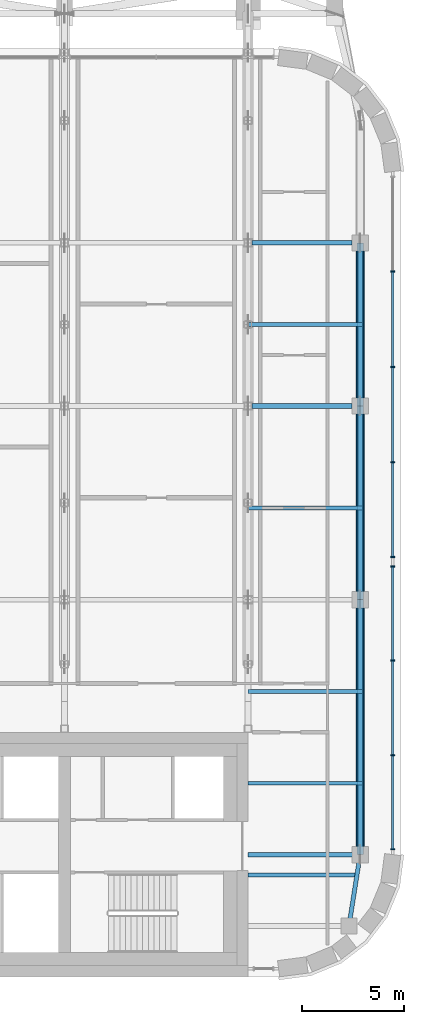
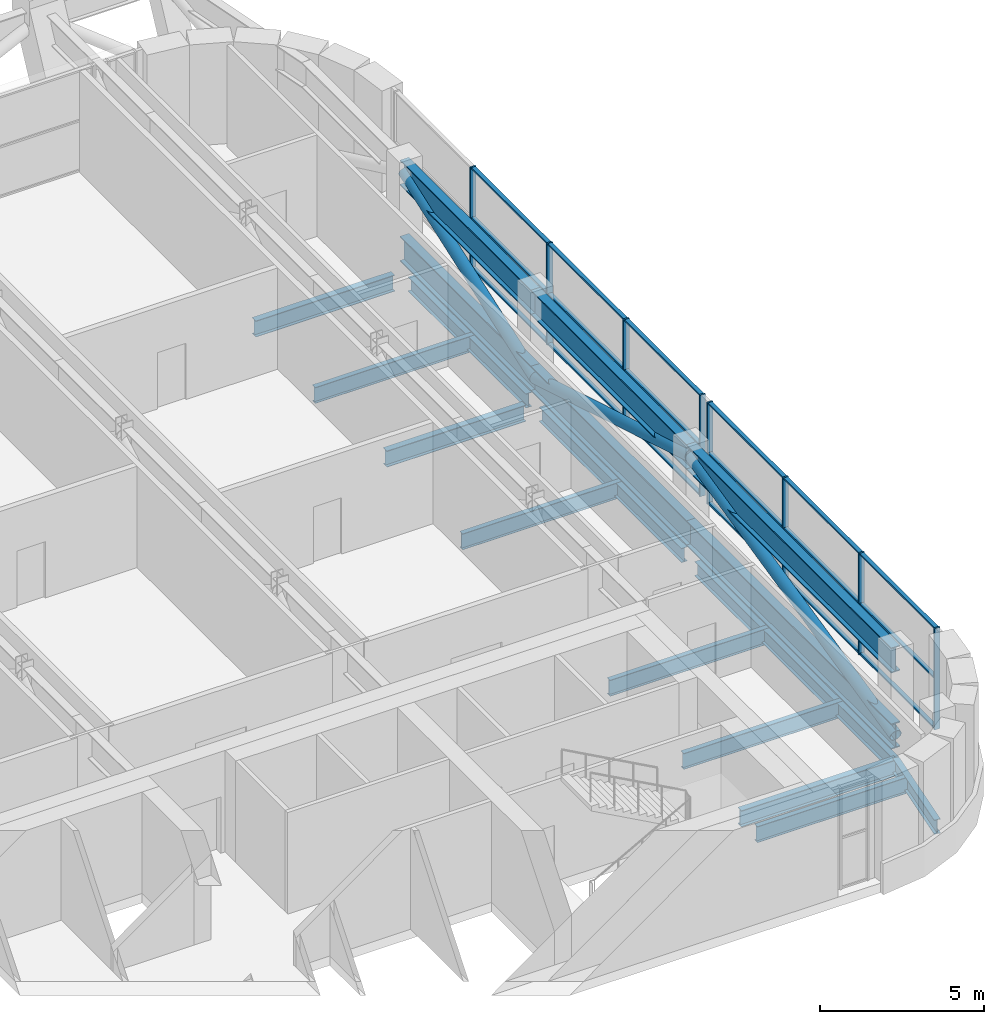
# One storey, part 13 of 28: 35 members, 12 beams, 2 elements without a shape of their own.
"""IFC4 building model written with IfcOpenShell, lengths in metres."""

import ifcopenshell
import ifcopenshell.guid

model = None  # the IFC model being written
_history = None  # IfcOwnerHistory: only IFC2X3 demands one
_inside = {}  # id of a spatial element -> (the spatial element, [elements in it])
_under = {}  # id of a project, library or spatial element -> (it, [spatial elements below it])
_declared = {}  # id of a project -> (the project, [libraries it declares])
_typed = {}  # id of a type object -> (the type object, [elements of that type])
_made_of = {}  # id of a material, layer set ... -> (it, [elements and type objects made of it])


def new_model(schema):
    """Start an empty IFC model of exactly this schema.

    Asked for "IFC4X3", IfcOpenShell would pick the latest addendum, in which some entities
    have other attributes; the version numbers below select the first issue.
    IFC2X3 requires an IfcOwnerHistory on every rooted entity: one is made here for all.
    """
    global model, _history
    if schema == "IFC4X3":
        model = ifcopenshell.file(schema_version=(4, 3, 0, 0))
    else:
        model = ifcopenshell.file(schema=schema)
    _inside.clear()
    _under.clear()
    _declared.clear()
    _typed.clear()
    _made_of.clear()
    _history = None
    if model.schema == "IFC2X3":
        org = make("IfcOrganization", Name="unknown")
        user = make(
            "IfcPersonAndOrganization",
            ThePerson=make("IfcPerson", FamilyName="unknown"),
            TheOrganization=org,
        )
        app = make(
            "IfcApplication",
            ApplicationDeveloper=org,
            Version="unknown",
            ApplicationFullName="unknown",
            ApplicationIdentifier="unknown",
        )
        _history = make(
            "IfcOwnerHistory",
            OwningUser=user,
            OwningApplication=app,
            ChangeAction="ADDED",
            CreationDate=0,
        )
    return model


def make(cls, **values):
    """One entity of the class cls with the attributes given. An attribute that is None is left unset."""
    return model.create_entity(
        cls, **{name: value for name, value in values.items() if value is not None}
    )


def rooted(cls, **values):
    """An entity with a GlobalId (a new one), such as an element, a storey or a relation."""
    return make(cls, GlobalId=ifcopenshell.guid.new(), OwnerHistory=_history, **values)


def si_unit(unit_type, name, prefix=None):
    """IfcSIUnit, for example si_unit("LENGTHUNIT", "METRE", prefix="MILLI")."""
    return make("IfcSIUnit", UnitType=unit_type, Prefix=prefix, Name=name)


def assignment(units):
    """IfcUnitAssignment: the units of a project."""
    return None if units is None else make("IfcUnitAssignment", Units=units)


def point(xyz):
    """IfcCartesianPoint."""
    return None if xyz is None else make("IfcCartesianPoint", Coordinates=xyz)


def direction(xyz):
    """IfcDirection."""
    return None if xyz is None else make("IfcDirection", DirectionRatios=xyz)


def frame(location, z_axis=None, x_axis=None):
    """IfcAxis2Placement3D, a coordinate frame: its origin and axes. An axis left out is left unset."""
    return make(
        "IfcAxis2Placement3D",
        Location=point(location),
        Axis=direction(z_axis),
        RefDirection=direction(x_axis),
    )


def frame_2d(location, x_axis=None):
    """IfcAxis2Placement2D, a coordinate frame in the plane: its origin and x axis."""
    return make(
        "IfcAxis2Placement2D", Location=point(location), RefDirection=direction(x_axis)
    )


def origin():
    """The frame at (0, 0, 0) with its axes left unset."""
    return frame((0.0, 0.0, 0.0))


def origin_2d():
    """The frame at (0, 0) in the plane with its x axis left unset."""
    return frame_2d((0.0, 0.0))


def place(relative_to, where):
    """IfcLocalPlacement: puts the frame where relative to a parent placement (None: the world)."""
    return make(
        "IfcLocalPlacement", PlacementRelTo=relative_to, RelativePlacement=where
    )


def context(
    kind, dimensions, precision=None, world=None, true_north=None, identifier=None
):
    """IfcGeometricRepresentationContext, for example the 3D "Model" context."""
    return make(
        "IfcGeometricRepresentationContext",
        ContextIdentifier=identifier,
        ContextType=kind,
        CoordinateSpaceDimension=dimensions,
        Precision=precision,
        WorldCoordinateSystem=world,
        TrueNorth=true_north,
    )


def subcontext(parent, identifier, kind, view, scale=None):
    """IfcGeometricRepresentationSubContext, for example "Body" below "Model"."""
    return make(
        "IfcGeometricRepresentationSubContext",
        ContextIdentifier=identifier,
        ContextType=kind,
        ParentContext=parent,
        TargetScale=scale,
        TargetView=view,
    )


def project(units=None, contexts=None):
    """IfcProject with its units and contexts."""
    return rooted(
        "IfcProject",
        Name="project",
        RepresentationContexts=contexts,
        UnitsInContext=assignment(units),
    )


def spatial(cls, under=None, at=None, **own):
    """A site, building, storey or space (cls), placed at a placement, below another one or the project."""
    s = rooted(cls, ObjectPlacement=at, **own)
    if under is not None:
        _under.setdefault(under.id(), (under, []))[1].append(s)
    return s


def profile(cls, at=None, kind="AREA", **sizes):
    """A parametric profile (cls). Its sizes go by their IFC names, for example OverallWidth=200.0."""
    return make(cls, ProfileType=kind, Position=at, **sizes)


def rectangle(**sizes):
    """IfcRectangleProfileDef."""
    return profile("IfcRectangleProfileDef", **sizes)


def hollow_circle(**sizes):
    """IfcCircleHollowProfileDef."""
    return profile("IfcCircleHollowProfileDef", **sizes)


def i_section(**sizes):
    """IfcIShapeProfileDef."""
    return profile("IfcIShapeProfileDef", **sizes)


def extrude(swept, where, along, depth):
    """IfcExtrudedAreaSolid: the profile swept, set in the frame where, extruded along a direction by depth."""
    return make(
        "IfcExtrudedAreaSolid",
        SweptArea=swept,
        Position=where,
        ExtrudedDirection=direction(along),
        Depth=depth,
    )


def shape(context_of_items, identifier, shape_type, items):
    """IfcShapeRepresentation: the items that make up one representation, for example the "Body"."""
    return make(
        "IfcShapeRepresentation",
        ContextOfItems=context_of_items,
        RepresentationIdentifier=identifier,
        RepresentationType=shape_type,
        Items=items,
    )


def material(Name=None, Category=None):
    """IfcMaterial."""
    return make("IfcMaterial", Name=Name, Category=Category)


def material_profile(
    of_material, cross_section, Name=None, Category=None, Priority=None
):
    """IfcMaterialProfile: a cross section and its material."""
    return make(
        "IfcMaterialProfile",
        Name=Name,
        Material=of_material,
        Profile=cross_section,
        Priority=Priority,
        Category=Category,
    )


def profile_set(profiles, Name=None, composite=None):
    """IfcMaterialProfileSet."""
    return make(
        "IfcMaterialProfileSet",
        Name=Name,
        MaterialProfiles=profiles,
        CompositeProfile=composite,
    )


def made_of(thing, what):
    """Note that an element or type object is made of a material, layer set ...; save() writes the relation."""
    if what is not None:
        _made_of.setdefault(what.id(), (what, []))[1].append(thing)
    return thing


def type_object(cls, material=None, **own):
    """A type object (cls), such as IfcWallType, which elements share."""
    return made_of(rooted(cls, **own), material)


def element(
    cls,
    number,
    at=None,
    inside=None,
    cuts=None,
    type_object=None,
    material=None,
    context=None,
    identifier="Body",
    shape_type=None,
    held_by="IfcProductDefinitionShape",
    body=None,
    shapes=None,
    **own,
):
    """One element of the class cls, such as IfcWall. Its Tag is "e" and its number.

    at: its placement. inside: the storey or other place that contains it. cuts: it is an
    opening in that element (IfcRelVoidsElement). A single representation is given by context,
    identifier, shape_type and body (its items); several are given by shapes. held_by: the class
    of the entity that holds the representations. save() writes the other relations.
    """
    e = rooted(cls, Tag="e%d" % number, ObjectPlacement=at, **own)
    if body is not None:
        shapes = [shape(context, identifier, shape_type, body)]
    if shapes is not None:
        e.Representation = make(held_by, Representations=shapes)
    if inside is not None:
        _inside.setdefault(inside.id(), (inside, []))[1].append(e)
    if cuts is not None:
        rooted(
            "IfcRelVoidsElement", RelatingBuildingElement=cuts, RelatedOpeningElement=e
        )
    if type_object is not None:
        _typed.setdefault(type_object.id(), (type_object, []))[1].append(e)
    return made_of(e, material)


def aggregate(whole, parts):
    """IfcRelAggregates: a whole, such as a stair, and the parts it consists of."""
    return rooted("IfcRelAggregates", RelatingObject=whole, RelatedObjects=parts)


def save(model, path):
    """Write the relations noted so far, then the file.

    IfcRelAggregates (storeys below a building ...), IfcRelContainedInSpatialStructure (elements
    in a storey), IfcRelDefinesByType, IfcRelAssociatesMaterial and IfcRelDeclares: one each for
    every whole, place, type object, material and project.
    """
    for whole, parts in _under.values():
        aggregate(whole, parts)
    for where, things in _inside.values():
        rooted(
            "IfcRelContainedInSpatialStructure",
            RelatedElements=things,
            RelatingStructure=where,
        )
    for kind, things in _typed.values():
        rooted("IfcRelDefinesByType", RelatedObjects=things, RelatingType=kind)
    for what, things in _made_of.values():
        rooted("IfcRelAssociatesMaterial", RelatedObjects=things, RelatingMaterial=what)
    for by, libraries in _declared.values():
        rooted("IfcRelDeclares", RelatingContext=by, RelatedDefinitions=libraries)
    model.write(path)


model = new_model("IFC4")

# Units and contexts
model_context = context("Model", 3, precision=1e-05, world=origin(), true_north=direction((0.0, 1.0)))
body_context = subcontext(model_context, "Body", "Model", "MODEL_VIEW")
ifc_project = project(units=[si_unit("LENGTHUNIT", "METRE"), si_unit("AREAUNIT", "SQUARE_METRE"), si_unit("VOLUMEUNIT", "CUBIC_METRE"), si_unit("PLANEANGLEUNIT", "RADIAN"), si_unit("MASSUNIT", "GRAM", prefix="KILO")], contexts=[model_context])

# Site, building, storey
site_placement = place(None, origin())
site = spatial("IfcSite", under=ifc_project, at=site_placement, CompositionType="ELEMENT")
building_placement = place(site_placement, origin())
building = spatial("IfcBuilding", under=site, at=building_placement, Name="Zellij Exchange Tower", CompositionType="ELEMENT")
storey_placement = place(building_placement, frame((0.0, 0.0, 268.5)))
storey = spatial("IfcBuildingStorey", under=building, at=storey_placement, Name="L63", CompositionType="ELEMENT", Elevation=268.5)

# Curtain wall, members
ifc_material_1 = material(Name="Aluminium frame, clear insulating glass", Category="aluminium")
curtain_wall_type = type_object("IfcCurtainWallType", Name="ENV-CW2 Outrigger-storey glazing", PredefinedType="NOTDEFINED", material=ifc_material_1)
curtain_wall_1_placement = place(storey_placement, origin())
curtain_wall_1 = element("IfcCurtainWall", 1, at=curtain_wall_1_placement, inside=storey, type_object=curtain_wall_type, Name="cw.L63.07a", PredefinedType="NOTDEFINED")
ifc_material_2 = material(Name="Aluminium", Category="aluminium")
ifc_material_profile_1 = material_profile(ifc_material_2, rectangle(XDim=0.06005859375, YDim=0.199951171875, at=origin_2d()), Name="AL 60x200")
ifc_profile_set_1 = profile_set([ifc_material_profile_1], Name="Aluminium")
member_type_1 = type_object("IfcMemberType", Name="ENV-CW2M Mullion 60x200", PredefinedType="MULLION", material=ifc_profile_set_1)
member_1_placement = place(storey_placement, frame((34.10009765625, -7.743896484375, 0.0), z_axis=(0.0, 0.0, 1.0), x_axis=(0.0, 1.0, 0.0)))
member_1 = element("IfcMember", 2, at=member_1_placement, type_object=member_type_1, Name="CW2 mullion 1", PredefinedType="MULLION", context=body_context, shape_type="SweptSolid", body=[
    extrude(rectangle(XDim=0.06005859375, YDim=0.199951171875, at=origin_2d()), origin(), (0.0, 0.0, 1.0), 3.780029296875),
])
member_2_placement = place(storey_placement, frame((34.10009765625, -3.12890625, 0.0), z_axis=(0.0, 0.0, 1.0), x_axis=(0.0, 1.0, 0.0)))
member_2 = element("IfcMember", 3, at=member_2_placement, type_object=member_type_1, Name="CW2 mullion 2", PredefinedType="MULLION", context=body_context, shape_type="SweptSolid", body=[
    extrude(rectangle(XDim=0.06005859375, YDim=0.199951171875, at=origin_2d()), origin(), (0.0, 0.0, 1.0), 3.780029296875),
])
member_3_placement = place(storey_placement, frame((34.10009765625, 1.51611328125, 0.0), z_axis=(0.0, 0.0, 1.0), x_axis=(0.0, 1.0, 0.0)))
member_3 = element("IfcMember", 4, at=member_3_placement, type_object=member_type_1, Name="CW2 mullion 3", PredefinedType="MULLION", context=body_context, shape_type="SweptSolid", body=[
    extrude(rectangle(XDim=0.06005859375, YDim=0.199951171875, at=origin_2d()), origin(), (0.0, 0.0, 1.0), 3.780029296875),
])
member_4_placement = place(storey_placement, frame((34.10009765625, 6.130859375, 0.0), z_axis=(0.0, 0.0, 1.0), x_axis=(0.0, 1.0, 0.0)))
member_4 = element("IfcMember", 5, at=member_4_placement, type_object=member_type_1, Name="CW2 mullion 4", PredefinedType="MULLION", context=body_context, shape_type="SweptSolid", body=[
    extrude(rectangle(XDim=0.06005859375, YDim=0.199951171875, at=origin_2d()), origin(), (0.0, 0.0, 1.0), 3.780029296875),
])

curtain_wall_2_placement = place(storey_placement, origin())
curtain_wall_2 = element("IfcCurtainWall", 6, at=curtain_wall_2_placement, inside=storey, type_object=curtain_wall_type, Name="cw.L63.07b", PredefinedType="NOTDEFINED")
member_5_placement = place(storey_placement, frame((34.10009765625, 6.5908203125, 0.0), z_axis=(0.0, 0.0, 1.0), x_axis=(0.0, 1.0, 0.0)))
member_5 = element("IfcMember", 7, at=member_5_placement, type_object=member_type_1, Name="CW2 mullion 1", PredefinedType="MULLION", context=body_context, shape_type="SweptSolid", body=[
    extrude(rectangle(XDim=0.06005859375, YDim=0.199951171875, at=origin_2d()), origin(), (0.0, 0.0, 1.0), 3.780029296875),
])
member_6_placement = place(storey_placement, frame((34.10009765625, 11.239013671875, 0.0), z_axis=(0.0, 0.0, 1.0), x_axis=(0.0, 1.0, 0.0)))
member_6 = element("IfcMember", 8, at=member_6_placement, type_object=member_type_1, Name="CW2 mullion 2", PredefinedType="MULLION", context=body_context, shape_type="SweptSolid", body=[
    extrude(rectangle(XDim=0.06005859375, YDim=0.199951171875, at=origin_2d()), origin(), (0.0, 0.0, 1.0), 3.780029296875),
])
member_7_placement = place(storey_placement, frame((34.10009765625, 15.917236328125, 0.0), z_axis=(0.0, 0.0, 1.0), x_axis=(0.0, 1.0, 0.0)))
member_7 = element("IfcMember", 9, at=member_7_placement, type_object=member_type_1, Name="CW2 mullion 3", PredefinedType="MULLION", context=body_context, shape_type="SweptSolid", body=[
    extrude(rectangle(XDim=0.06005859375, YDim=0.199951171875, at=origin_2d()), origin(), (0.0, 0.0, 1.0), 3.780029296875),
])
member_8_placement = place(storey_placement, frame((34.10009765625, 20.595458984375, 0.0), z_axis=(0.0, 0.0, 1.0), x_axis=(0.0, 1.0, 0.0)))
member_8 = element("IfcMember", 10, at=member_8_placement, type_object=member_type_1, Name="CW2 mullion 4", PredefinedType="MULLION", context=body_context, shape_type="SweptSolid", body=[
    extrude(rectangle(XDim=0.06005859375, YDim=0.199951171875, at=origin_2d()), origin(), (0.0, 0.0, 1.0), 3.780029296875),
])

# Member
ifc_material_profile_2 = material_profile(ifc_material_2, rectangle(XDim=0.139892578125, YDim=0.06005859375, at=origin_2d()), Name="AL 140x60")
ifc_profile_set_2 = profile_set([ifc_material_profile_2], Name="Aluminium")
member_type_2 = type_object("IfcMemberType", Name="ENV-CW2T Transom 140x60", PredefinedType="USERDEFINED", material=ifc_profile_set_2)
member_9_placement = place(storey_placement, frame((34.10009765625, -7.7138671875, 0.030029296875), z_axis=(0.0, 1.0, 0.0), x_axis=(-1.0, 0.0, 0.0)))
member_9 = element("IfcMember", 11, at=member_9_placement, type_object=member_type_2, Name="CW2 transom 1.1", ObjectType="TRANSOM", PredefinedType="USERDEFINED", context=body_context, shape_type="SweptSolid", body=[
    extrude(rectangle(XDim=0.139892578125, YDim=0.06005859375, at=origin_2d()), origin(), (0.0, 0.0, 1.0), 4.554931640625),
])

member_10_placement = place(storey_placement, frame((34.10009765625, -7.7138671875, 1.889892578125), z_axis=(0.0, 1.0, 0.0), x_axis=(-1.0, 0.0, 0.0)))
member_10 = element("IfcMember", 12, at=member_10_placement, type_object=member_type_2, Name="CW2 transom 1.2", ObjectType="TRANSOM", PredefinedType="USERDEFINED", context=body_context, shape_type="SweptSolid", body=[
    extrude(rectangle(XDim=0.139892578125, YDim=0.06005859375, at=origin_2d()), origin(), (0.0, 0.0, 1.0), 4.554931640625),
])

member_11_placement = place(storey_placement, frame((34.10009765625, -7.7138671875, 3.75), z_axis=(0.0, 1.0, 0.0), x_axis=(-1.0, 0.0, 0.0)))
member_11 = element("IfcMember", 13, at=member_11_placement, type_object=member_type_2, Name="CW2 transom 1.3", ObjectType="TRANSOM", PredefinedType="USERDEFINED", context=body_context, shape_type="SweptSolid", body=[
    extrude(rectangle(XDim=0.139892578125, YDim=0.06005859375, at=origin_2d()), origin(), (0.0, 0.0, 1.0), 4.554931640625),
])

member_12_placement = place(storey_placement, frame((34.10009765625, -3.098876953125, 0.030029296875), z_axis=(0.0, 1.0, 0.0), x_axis=(-1.0, 0.0, 0.0)))
member_12 = element("IfcMember", 14, at=member_12_placement, type_object=member_type_2, Name="CW2 transom 2.1", ObjectType="TRANSOM", PredefinedType="USERDEFINED", context=body_context, shape_type="SweptSolid", body=[
    extrude(rectangle(XDim=0.139892578125, YDim=0.06005859375, at=origin_2d()), origin(), (0.0, 0.0, 1.0), 4.5849609375),
])

member_13_placement = place(storey_placement, frame((34.10009765625, -3.098876953125, 1.889892578125), z_axis=(0.0, 1.0, 0.0), x_axis=(-1.0, 0.0, 0.0)))
member_13 = element("IfcMember", 15, at=member_13_placement, type_object=member_type_2, Name="CW2 transom 2.2", ObjectType="TRANSOM", PredefinedType="USERDEFINED", context=body_context, shape_type="SweptSolid", body=[
    extrude(rectangle(XDim=0.139892578125, YDim=0.06005859375, at=origin_2d()), origin(), (0.0, 0.0, 1.0), 4.5849609375),
])

member_14_placement = place(storey_placement, frame((34.10009765625, -3.098876953125, 3.75), z_axis=(0.0, 1.0, 0.0), x_axis=(-1.0, 0.0, 0.0)))
member_14 = element("IfcMember", 16, at=member_14_placement, type_object=member_type_2, Name="CW2 transom 2.3", ObjectType="TRANSOM", PredefinedType="USERDEFINED", context=body_context, shape_type="SweptSolid", body=[
    extrude(rectangle(XDim=0.139892578125, YDim=0.06005859375, at=origin_2d()), origin(), (0.0, 0.0, 1.0), 4.5849609375),
])

member_15_placement = place(storey_placement, frame((34.10009765625, 1.5458984375, 0.030029296875), z_axis=(0.0, 1.0, 0.0), x_axis=(-1.0, 0.0, 0.0)))
member_15 = element("IfcMember", 17, at=member_15_placement, type_object=member_type_2, Name="CW2 transom 3.1", ObjectType="TRANSOM", PredefinedType="USERDEFINED", context=body_context, shape_type="SweptSolid", body=[
    extrude(rectangle(XDim=0.139892578125, YDim=0.06005859375, at=origin_2d()), origin(), (0.0, 0.0, 1.0), 4.554931640625),
])

member_16_placement = place(storey_placement, frame((34.10009765625, 1.5458984375, 1.889892578125), z_axis=(0.0, 1.0, 0.0), x_axis=(-1.0, 0.0, 0.0)))
member_16 = element("IfcMember", 18, at=member_16_placement, type_object=member_type_2, Name="CW2 transom 3.2", ObjectType="TRANSOM", PredefinedType="USERDEFINED", context=body_context, shape_type="SweptSolid", body=[
    extrude(rectangle(XDim=0.139892578125, YDim=0.06005859375, at=origin_2d()), origin(), (0.0, 0.0, 1.0), 4.554931640625),
])

member_17_placement = place(storey_placement, frame((34.10009765625, 1.5458984375, 3.75), z_axis=(0.0, 1.0, 0.0), x_axis=(-1.0, 0.0, 0.0)))
member_17 = element("IfcMember", 19, at=member_17_placement, type_object=member_type_2, Name="CW2 transom 3.3", ObjectType="TRANSOM", PredefinedType="USERDEFINED", context=body_context, shape_type="SweptSolid", body=[
    extrude(rectangle(XDim=0.139892578125, YDim=0.06005859375, at=origin_2d()), origin(), (0.0, 0.0, 1.0), 4.554931640625),
])

aggregate(curtain_wall_1, [member_1, member_2, member_3, member_4, member_9, member_10, member_11, member_12, member_13, member_14, member_15, member_16, member_17])

member_18_placement = place(storey_placement, frame((34.10009765625, 6.620849609375, 0.030029296875), z_axis=(0.0, 1.0, 0.0), x_axis=(-1.0, 0.0, 0.0)))
member_18 = element("IfcMember", 20, at=member_18_placement, type_object=member_type_2, Name="CW2 transom 1.1", ObjectType="TRANSOM", PredefinedType="USERDEFINED", context=body_context, shape_type="SweptSolid", body=[
    extrude(rectangle(XDim=0.139892578125, YDim=0.06005859375, at=origin_2d()), origin(), (0.0, 0.0, 1.0), 4.58837890625),
])

member_19_placement = place(storey_placement, frame((34.10009765625, 6.620849609375, 1.889892578125), z_axis=(0.0, 1.0, 0.0), x_axis=(-1.0, 0.0, 0.0)))
member_19 = element("IfcMember", 21, at=member_19_placement, type_object=member_type_2, Name="CW2 transom 1.2", ObjectType="TRANSOM", PredefinedType="USERDEFINED", context=body_context, shape_type="SweptSolid", body=[
    extrude(rectangle(XDim=0.139892578125, YDim=0.06005859375, at=origin_2d()), origin(), (0.0, 0.0, 1.0), 4.58837890625),
])

member_20_placement = place(storey_placement, frame((34.10009765625, 6.620849609375, 3.75), z_axis=(0.0, 1.0, 0.0), x_axis=(-1.0, 0.0, 0.0)))
member_20 = element("IfcMember", 22, at=member_20_placement, type_object=member_type_2, Name="CW2 transom 1.3", ObjectType="TRANSOM", PredefinedType="USERDEFINED", context=body_context, shape_type="SweptSolid", body=[
    extrude(rectangle(XDim=0.139892578125, YDim=0.06005859375, at=origin_2d()), origin(), (0.0, 0.0, 1.0), 4.58837890625),
])

member_21_placement = place(storey_placement, frame((34.10009765625, 11.26904296875, 0.030029296875), z_axis=(0.0, 1.0, 0.0), x_axis=(-1.0, 0.0, 0.0)))
member_21 = element("IfcMember", 23, at=member_21_placement, type_object=member_type_2, Name="CW2 transom 2.1", ObjectType="TRANSOM", PredefinedType="USERDEFINED", context=body_context, shape_type="SweptSolid", body=[
    extrude(rectangle(XDim=0.139892578125, YDim=0.06005859375, at=origin_2d()), origin(), (0.0, 0.0, 1.0), 4.618408203125),
])

member_22_placement = place(storey_placement, frame((34.10009765625, 11.26904296875, 1.889892578125), z_axis=(0.0, 1.0, 0.0), x_axis=(-1.0, 0.0, 0.0)))
member_22 = element("IfcMember", 24, at=member_22_placement, type_object=member_type_2, Name="CW2 transom 2.2", ObjectType="TRANSOM", PredefinedType="USERDEFINED", context=body_context, shape_type="SweptSolid", body=[
    extrude(rectangle(XDim=0.139892578125, YDim=0.06005859375, at=origin_2d()), origin(), (0.0, 0.0, 1.0), 4.618408203125),
])

member_23_placement = place(storey_placement, frame((34.10009765625, 11.26904296875, 3.75), z_axis=(0.0, 1.0, 0.0), x_axis=(-1.0, 0.0, 0.0)))
member_23 = element("IfcMember", 25, at=member_23_placement, type_object=member_type_2, Name="CW2 transom 2.3", ObjectType="TRANSOM", PredefinedType="USERDEFINED", context=body_context, shape_type="SweptSolid", body=[
    extrude(rectangle(XDim=0.139892578125, YDim=0.06005859375, at=origin_2d()), origin(), (0.0, 0.0, 1.0), 4.618408203125),
])

member_24_placement = place(storey_placement, frame((34.10009765625, 15.947265625, 0.030029296875), z_axis=(0.0, 1.0, 0.0), x_axis=(-1.0, 0.0, 0.0)))
member_24 = element("IfcMember", 26, at=member_24_placement, type_object=member_type_2, Name="CW2 transom 3.1", ObjectType="TRANSOM", PredefinedType="USERDEFINED", context=body_context, shape_type="SweptSolid", body=[
    extrude(rectangle(XDim=0.139892578125, YDim=0.06005859375, at=origin_2d()), origin(), (0.0, 0.0, 1.0), 4.618408203125),
])

member_25_placement = place(storey_placement, frame((34.10009765625, 15.947265625, 1.889892578125), z_axis=(0.0, 1.0, 0.0), x_axis=(-1.0, 0.0, 0.0)))
member_25 = element("IfcMember", 27, at=member_25_placement, type_object=member_type_2, Name="CW2 transom 3.2", ObjectType="TRANSOM", PredefinedType="USERDEFINED", context=body_context, shape_type="SweptSolid", body=[
    extrude(rectangle(XDim=0.139892578125, YDim=0.06005859375, at=origin_2d()), origin(), (0.0, 0.0, 1.0), 4.618408203125),
])

member_26_placement = place(storey_placement, frame((34.10009765625, 15.947265625, 3.75), z_axis=(0.0, 1.0, 0.0), x_axis=(-1.0, 0.0, 0.0)))
member_26 = element("IfcMember", 28, at=member_26_placement, type_object=member_type_2, Name="CW2 transom 3.3", ObjectType="TRANSOM", PredefinedType="USERDEFINED", context=body_context, shape_type="SweptSolid", body=[
    extrude(rectangle(XDim=0.139892578125, YDim=0.06005859375, at=origin_2d()), origin(), (0.0, 0.0, 1.0), 4.618408203125),
])

aggregate(curtain_wall_2, [member_5, member_6, member_7, member_8, member_18, member_19, member_20, member_21, member_22, member_23, member_24, member_25, member_26])

# Beams
ifc_material_3 = material(Name="Structural steel ASTM A992 Gr 50", Category="steel")
ifc_material_profile_3 = material_profile(ifc_material_3, i_section(OverallWidth=0.177978515625, OverallDepth=0.599365234375, WebThickness=0.010009765625, FlangeThickness=0.012939453125, at=origin_2d()), Name="W24x55")
ifc_profile_set_3 = profile_set([ifc_material_profile_3], Name="Structural steel ASTM A992 Gr 50")
beam_type_1 = type_object("IfcBeamType", Name="STR-BEAM W24x55", PredefinedType="BEAM", material=ifc_profile_set_3)
beam_1_placement = place(storey_placement, frame((27.0, -9.0, -0.649658203125), z_axis=(1.0, 0.0, 0.0), x_axis=(0.0, 1.0, 0.0)))
element("IfcBeam", 29, at=beam_1_placement, inside=storey, type_object=beam_type_1, Name="B4", PredefinedType="BEAM", context=body_context, shape_type="SweptSolid", body=[
    extrude(i_section(OverallWidth=0.177978515625, OverallDepth=0.599365234375, WebThickness=0.010009765625, FlangeThickness=0.012939453125, at=origin_2d()), origin(), (0.0, 0.0, 1.0), 5.44873046875),
])
for number, where, z_axis, x_axis, name in (
    (30, (27.0, -4.5, -0.649658203125), (1.0, 0.0, 0.0), (0.0, 1.0, 0.0), "B4"),
    (31, (27.0, 0.0, -0.649658203125), (1.0, 0.0, 0.0), (0.0, 1.0, 0.0), "B4"),
    (32, (27.0, 9.0, -0.649658203125), (1.0, 0.0, 0.0), (0.0, 1.0, 0.0), "B4"),
    (33, (27.0, 18.0, -0.649658203125), (1.0, 0.0, 0.0), (0.0, 1.0, 0.0), "B4"),
):
    element("IfcBeam", number, at=place(storey_placement, frame(where, z_axis=z_axis, x_axis=x_axis)), inside=storey, type_object=beam_type_1, Name=name, PredefinedType="BEAM", context=body_context, shape_type="SweptSolid", body=[
        extrude(i_section(OverallWidth=0.177978515625, OverallDepth=0.599365234375, WebThickness=0.010009765625, FlangeThickness=0.012939453125, at=origin_2d()), origin(), (0.0, 0.0, 1.0), 5.6044921875),
    ])

# Members
ifc_material_profile_4 = material_profile(ifc_material_3, i_section(OverallWidth=0.307373046875, OverallDepth=0.9423828125, WebThickness=0.022216796875, FlangeThickness=0.039794921875, at=origin_2d()), Name="W36x232")
ifc_profile_set_4 = profile_set([ifc_material_profile_4], Name="Structural steel ASTM A992 Gr 50")
member_type_3 = type_object("IfcMemberType", Name="STR-BELT TRUSS CHORD W36x232", PredefinedType="CHORD", material=ifc_profile_set_4)
for number, where, z_axis, x_axis, name in (
    (34, (32.5, -8.0, 0.47119140625), (0.0, 1.0, 0.0), (-1.0, 0.0, 0.0), "BT1"),
    (35, (32.5, -8.0, 3.308837890625), (0.0, 1.0, 0.0), (-1.0, 0.0, 0.0), "BT1"),
):
    element("IfcMember", number, at=place(storey_placement, frame(where, z_axis=z_axis, x_axis=x_axis)), inside=storey, type_object=member_type_3, Name=name, PredefinedType="CHORD", context=body_context, shape_type="SweptSolid", body=[
        extrude(i_section(OverallWidth=0.307373046875, OverallDepth=0.9423828125, WebThickness=0.022216796875, FlangeThickness=0.039794921875, at=origin_2d()), origin(), (0.0, 0.0, 1.0), 12.5),
    ])
for number, where, z_axis, x_axis, name in (
    (36, (32.5, 4.5, 0.47119140625), (0.0, 1.0, 0.0), (-1.0, 0.0, 0.0), "BT1"),
    (37, (32.5, 4.5, 3.308837890625), (0.0, 1.0, 0.0), (-1.0, 0.0, 0.0), "BT1"),
):
    element("IfcMember", number, at=place(storey_placement, frame(where, z_axis=z_axis, x_axis=x_axis)), inside=storey, type_object=member_type_3, Name=name, PredefinedType="CHORD", context=body_context, shape_type="SweptSolid", body=[
        extrude(i_section(OverallWidth=0.307373046875, OverallDepth=0.9423828125, WebThickness=0.022216796875, FlangeThickness=0.039794921875, at=origin_2d()), origin(), (0.0, 0.0, 1.0), 9.5),
    ])
for number, where, z_axis, x_axis, name in (
    (38, (32.5, 14.0, 0.47119140625), (0.0, 1.0, 0.0), (-1.0, 0.0, 0.0), "BT1"),
    (39, (32.5, 14.0, 3.308837890625), (0.0, 1.0, 0.0), (-1.0, 0.0, 0.0), "BT1"),
):
    element("IfcMember", number, at=place(storey_placement, frame(where, z_axis=z_axis, x_axis=x_axis)), inside=storey, type_object=member_type_3, Name=name, PredefinedType="CHORD", context=body_context, shape_type="SweptSolid", body=[
        extrude(i_section(OverallWidth=0.307373046875, OverallDepth=0.9423828125, WebThickness=0.022216796875, FlangeThickness=0.039794921875, at=origin_2d()), origin(), (0.0, 0.0, 1.0), 8.0),
    ])
ifc_material_4 = material(Name="Structural steel ASTM A500 Gr C", Category="steel")
ifc_material_profile_5 = material_profile(ifc_material_4, hollow_circle(Radius=0.203125, WallThickness=0.01171875, at=origin_2d()), Name="STR-BELT TRUSS DIAGONAL HSS16.000x0.500")
ifc_profile_set_5 = profile_set([ifc_material_profile_5], Name="Structural steel ASTM A500 Gr C")
member_type_4 = type_object("IfcMemberType", Name="STR-BELT TRUSS DIAGONAL HSS16.000x0.500", PredefinedType="BRACE", material=ifc_profile_set_5)
member_27_placement = place(storey_placement, frame((32.5, -8.0, 0.47119140625), z_axis=(0.0, 0.975187832743, 0.221379066015), x_axis=(-1.0, 0.0, 0.0)))
element("IfcMember", 40, at=member_27_placement, inside=storey, type_object=member_type_4, Name="BT2", PredefinedType="BRACE", context=body_context, shape_type="SweptSolid", body=[
    extrude(hollow_circle(Radius=0.203125, WallThickness=0.01171875, at=origin_2d()), origin(), (0.0, 0.0, 1.0), 12.818115234375),
])
member_28_placement = place(storey_placement, frame((32.5, 4.5, 3.308837890625), z_axis=(0.0, 0.958168531656, -0.28620458582), x_axis=(-1.0, 0.0, 0.0)))
element("IfcMember", 41, at=member_28_placement, inside=storey, type_object=member_type_4, Name="BT2", PredefinedType="BRACE", context=body_context, shape_type="SweptSolid", body=[
    extrude(hollow_circle(Radius=0.203125, WallThickness=0.01171875, at=origin_2d()), origin(), (0.0, 0.0, 1.0), 9.914794921875),
])
member_29_placement = place(storey_placement, frame((32.5, 14.0, 0.47119140625), z_axis=(0.0, 0.942467213313, 0.334298596812), x_axis=(-1.0, 0.0, 0.0)))
element("IfcMember", 42, at=member_29_placement, inside=storey, type_object=member_type_4, Name="BT2", PredefinedType="BRACE", context=body_context, shape_type="SweptSolid", body=[
    extrude(hollow_circle(Radius=0.203125, WallThickness=0.01171875, at=origin_2d()), origin(), (0.0, 0.0, 1.0), 8.48828125),
])

# Beams
ifc_material_profile_6 = material_profile(ifc_material_3, i_section(OverallWidth=0.209228515625, OverallDepth=0.533447265625, WebThickness=0.01025390625, FlangeThickness=0.015625, at=origin_2d()), Name="W21x62")
ifc_profile_set_6 = profile_set([ifc_material_profile_6], Name="Structural steel ASTM A992 Gr 50")
beam_type_2 = type_object("IfcBeamType", Name="STR-EDGE GIRDER W21x62", PredefinedType="BEAM", material=ifc_profile_set_6)
beam_2_placement = place(storey_placement, frame((31.949951171875, -11.5, -0.61669921875), z_axis=(0.155251283593, 0.987875011802, 0.0), x_axis=(-0.987875011802, 0.155251283593, 0.0)))
element("IfcBeam", 43, at=beam_2_placement, inside=storey, type_object=beam_type_2, Name="EB3", PredefinedType="BEAM", context=body_context, shape_type="SweptSolid", body=[
    extrude(i_section(OverallWidth=0.209228515625, OverallDepth=0.533447265625, WebThickness=0.01025390625, FlangeThickness=0.015625, at=origin_2d()), origin(), (0.0, 0.0, 1.0), 3.54296875),
])
beam_3_placement = place(storey_placement, frame((32.5, -8.0, -0.61669921875), z_axis=(0.0, 1.0, 0.0), x_axis=(-1.0, 0.0, 0.0)))
element("IfcBeam", 44, at=beam_3_placement, inside=storey, type_object=beam_type_2, Name="EB3", PredefinedType="BEAM", context=body_context, shape_type="SweptSolid", body=[
    extrude(i_section(OverallWidth=0.209228515625, OverallDepth=0.533447265625, WebThickness=0.01025390625, FlangeThickness=0.015625, at=origin_2d()), origin(), (0.0, 0.0, 1.0), 12.10009765625),
])
beam_4_placement = place(storey_placement, frame((32.5, 4.89990234375, -0.61669921875), z_axis=(0.0, 1.0, 0.0), x_axis=(-1.0, 0.0, 0.0)))
element("IfcBeam", 45, at=beam_4_placement, inside=storey, type_object=beam_type_2, Name="EB3", PredefinedType="BEAM", context=body_context, shape_type="SweptSolid", body=[
    extrude(i_section(OverallWidth=0.209228515625, OverallDepth=0.533447265625, WebThickness=0.01025390625, FlangeThickness=0.015625, at=origin_2d()), origin(), (0.0, 0.0, 1.0), 8.7001953125),
])
beam_5_placement = place(storey_placement, frame((32.5, 14.39990234375, -0.61669921875), z_axis=(0.0, 1.0, 0.0), x_axis=(-1.0, 0.0, 0.0)))
element("IfcBeam", 46, at=beam_5_placement, inside=storey, type_object=beam_type_2, Name="EB3", PredefinedType="BEAM", context=body_context, shape_type="SweptSolid", body=[
    extrude(i_section(OverallWidth=0.209228515625, OverallDepth=0.533447265625, WebThickness=0.01025390625, FlangeThickness=0.015625, at=origin_2d()), origin(), (0.0, 0.0, 1.0), 7.2001953125),
])
ifc_material_profile_7 = material_profile(ifc_material_3, i_section(OverallWidth=0.228271484375, OverallDepth=0.607177734375, WebThickness=0.01123046875, FlangeThickness=0.017333984375, at=origin_2d()), Name="W24x76")
ifc_profile_set_7 = profile_set([ifc_material_profile_7], Name="Structural steel ASTM A992 Gr 50")
beam_type_3 = type_object("IfcBeamType", Name="STR-GIRDER W24x76", PredefinedType="BEAM", material=ifc_profile_set_7)
beam_6_placement = place(storey_placement, frame((27.0, -8.0, -0.653564453125), z_axis=(1.0, 0.0, 0.0), x_axis=(0.0, 1.0, 0.0)))
element("IfcBeam", 47, at=beam_6_placement, inside=storey, type_object=beam_type_3, Name="G2", PredefinedType="BEAM", context=body_context, shape_type="SweptSolid", body=[
    extrude(i_section(OverallWidth=0.228271484375, OverallDepth=0.607177734375, WebThickness=0.01123046875, FlangeThickness=0.017333984375, at=origin_2d()), origin(), (0.0, 0.0, 1.0), 5.5),
])
for number, where, z_axis, x_axis, name in (
    (48, (27.199462890625, 14.0, -0.653564453125), (1.0, 0.0, 0.0), (0.0, 1.0, 0.0), "G2"),
    (49, (27.199462890625, 22.0, -0.653564453125), (1.0, 0.0, 0.0), (0.0, 1.0, 0.0), "G2"),
):
    element("IfcBeam", number, at=place(storey_placement, frame(where, z_axis=z_axis, x_axis=x_axis)), inside=storey, type_object=beam_type_3, Name=name, PredefinedType="BEAM", context=body_context, shape_type="SweptSolid", body=[
        extrude(i_section(OverallWidth=0.228271484375, OverallDepth=0.607177734375, WebThickness=0.01123046875, FlangeThickness=0.017333984375, at=origin_2d()), origin(), (0.0, 0.0, 1.0), 4.900634765625),
    ])

save(model, "model.ifc")
